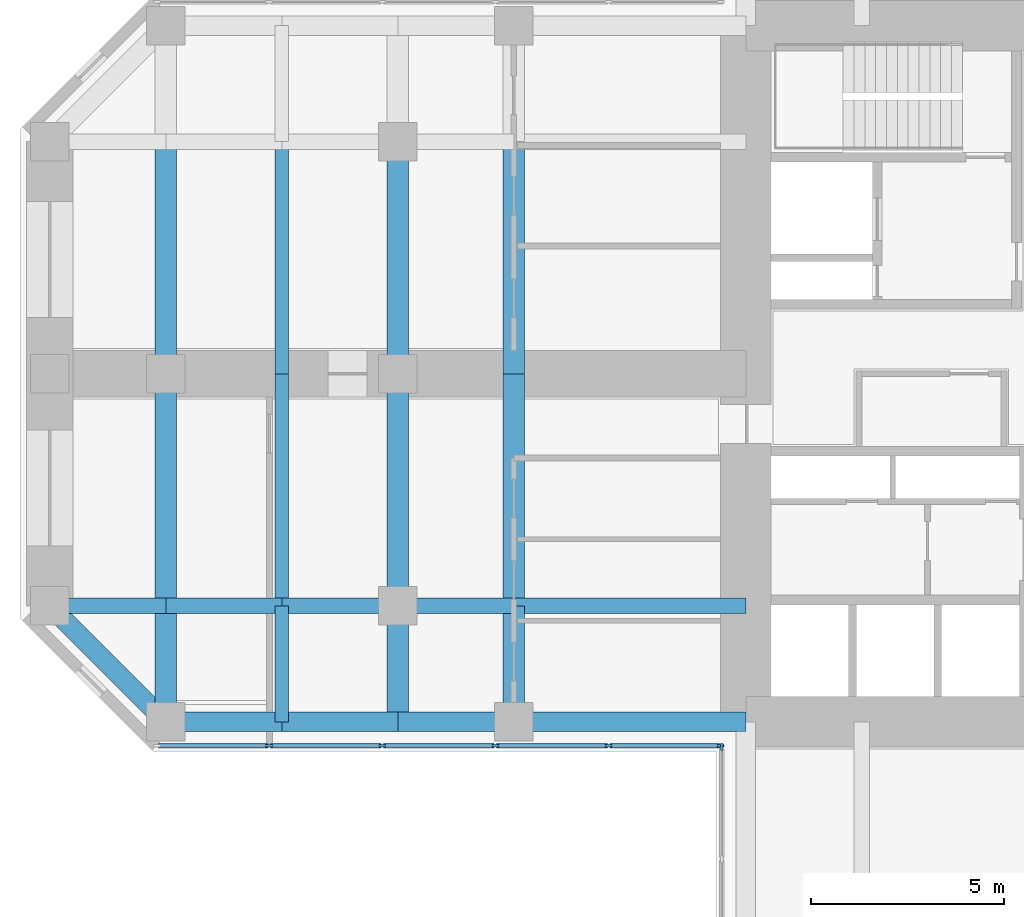
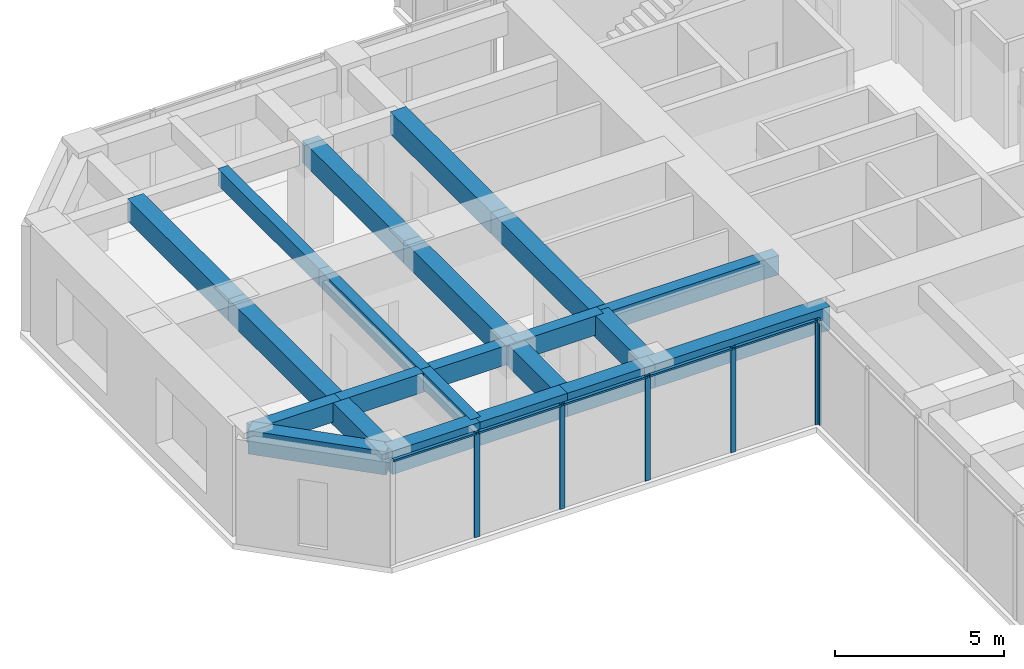
# One storey, part 3 of 12: 22 beams, 11 members, 2 elements without a shape of their own.
"""IFC4 building model written with IfcOpenShell, lengths in metres."""

from ifc_helpers import new_model, si_unit, direction, frame, origin, origin_2d, place, context, subcontext, project, spatial, rectangle, extrude, material, material_profile, profile_set, type_object, element, aggregate, save


model = new_model("IFC4")

# Units and contexts
model_context = context("Model", 3, precision=1e-05, world=origin(), true_north=direction((0.0, 1.0)))
body_context = subcontext(model_context, "Body", "Model", "MODEL_VIEW")
ifc_project = project(units=[si_unit("LENGTHUNIT", "METRE"), si_unit("AREAUNIT", "SQUARE_METRE"), si_unit("VOLUMEUNIT", "CUBIC_METRE"), si_unit("PLANEANGLEUNIT", "RADIAN"), si_unit("MASSUNIT", "GRAM", prefix="KILO")], contexts=[model_context])

# Site, building, storey
site_placement = place(None, origin())
site = spatial("IfcSite", under=ifc_project, at=site_placement, CompositionType="ELEMENT")
building_placement = place(site_placement, origin())
building = spatial("IfcBuilding", under=site, at=building_placement, Name="Torre Cruceta", CompositionType="ELEMENT")
storey_placement = place(building_placement, frame((0.0, 0.0, 112.5)))
storey = spatial("IfcBuildingStorey", under=building, at=storey_placement, Name="L27", CompositionType="ELEMENT", Elevation=112.5)

# Beams
ifc_material_1 = material(Name="Concrete G60 (fck 60 MPa)", Category="concrete")
ifc_material_profile_1 = material_profile(ifc_material_1, rectangle(XDim=0.39990234375, YDim=0.699951171875, at=origin_2d()), Name="RC 400X700")
ifc_profile_set_1 = profile_set([ifc_material_profile_1], Name="Concrete G60 (fck 60 MPa)")
beam_type_1 = type_object("IfcBeamType", Name="COLUMN LINE BEAM RC 400X700", PredefinedType="BEAM", material=ifc_profile_set_1)
beam_1_placement = place(storey_placement, frame((-9.0, -6.0, 3.449951171875), z_axis=(-1.0, 0.0, 0.0), x_axis=(0.0, -1.0, 0.0)))
element("IfcBeam", 1, at=beam_1_placement, inside=storey, type_object=beam_type_1, Name="LB5 L27 W col+ 1", PredefinedType="BEAM", context=body_context, shape_type="SweptSolid", body=[
    extrude(rectangle(XDim=0.39990234375, YDim=0.699951171875, at=origin_2d()), origin(), (0.0, 0.0, 1.0), 6.0),
])
for number, where, z_axis, x_axis, name in (
    (2, (-15.0, -6.0, 3.449951171875), (-1.0, 0.0, 0.0), (0.0, -1.0, 0.0), "LB5 L27 W col+ 2"),
    (3, (-18.0, -6.0, 3.449951171875), (-1.0, 0.0, 0.0), (0.0, -1.0, 0.0), "LB5 L27 W col+ 3"),
    (4, (-21.0, -6.0, 3.449951171875), (-1.0, 0.0, 0.0), (0.0, -1.0, 0.0), "LB5 L27 W col+ 4"),
    (5, (-24.0, -6.0, 3.449951171875), (-1.0, 0.0, 0.0), (0.0, -1.0, 0.0), "LB5 L27 W col+ 5"),
):
    element("IfcBeam", number, at=place(storey_placement, frame(where, z_axis=z_axis, x_axis=x_axis)), inside=storey, type_object=beam_type_1, Name=name, PredefinedType="BEAM", context=body_context, shape_type="SweptSolid", body=[
        extrude(rectangle(XDim=0.39990234375, YDim=0.699951171875, at=origin_2d()), origin(), (0.0, 0.0, 1.0), 3.0),
    ])
ifc_material_2 = material(Name="Concrete G60 (fck 60 MPa)", Category="concrete")
ifc_material_profile_2 = material_profile(ifc_material_2, rectangle(XDim=0.550048828125, YDim=0.800048828125, at=origin_2d()), Name="RC 550X800")
ifc_profile_set_2 = profile_set([ifc_material_profile_2], Name="Concrete G60 (fck 60 MPa)")
beam_type_2 = type_object("IfcBeamType", Name="CROSS BEAM RC 550X800", PredefinedType="BEAM", material=ifc_profile_set_2)
for number, where, z_axis, x_axis, name in (
    (6, (-15.0, 6.0, 3.39990234375), (0.0, -1.0, 0.0), (1.0, 0.0, 0.0), "GB5 L27 W cross15 2"),
    (7, (-15.0, 0.0, 3.39990234375), (0.0, -1.0, 0.0), (1.0, 0.0, 0.0), "GB5 L27 W cross15 3"),
):
    element("IfcBeam", number, at=place(storey_placement, frame(where, z_axis=z_axis, x_axis=x_axis)), inside=storey, type_object=beam_type_2, Name=name, PredefinedType="BEAM", context=body_context, shape_type="SweptSolid", body=[
        extrude(rectangle(XDim=0.550048828125, YDim=0.800048828125, at=origin_2d()), origin(), (0.0, 0.0, 1.0), 6.0),
    ])
beam_2_placement = place(storey_placement, frame((-15.0, -6.0, 3.39990234375), z_axis=(0.0, -1.0, 0.0), x_axis=(1.0, 0.0, 0.0)))
element("IfcBeam", 8, at=beam_2_placement, inside=storey, type_object=beam_type_2, Name="GB5 L27 W cross15 4", PredefinedType="BEAM", context=body_context, shape_type="SweptSolid", body=[
    extrude(rectangle(XDim=0.550048828125, YDim=0.800048828125, at=origin_2d()), origin(), (0.0, 0.0, 1.0), 3.0),
])
for number, where, z_axis, x_axis, name in (
    (9, (-18.0, 6.0, 3.39990234375), (0.0, -1.0, 0.0), (1.0, 0.0, 0.0), "GB5 L27 W cross18 2"),
    (10, (-18.0, 0.0, 3.39990234375), (0.0, -1.0, 0.0), (1.0, 0.0, 0.0), "GB5 L27 W cross18 3"),
):
    element("IfcBeam", number, at=place(storey_placement, frame(where, z_axis=z_axis, x_axis=x_axis)), inside=storey, type_object=beam_type_2, Name=name, PredefinedType="BEAM", context=body_context, shape_type="SweptSolid", body=[
        extrude(rectangle(XDim=0.550048828125, YDim=0.800048828125, at=origin_2d()), origin(), (0.0, 0.0, 1.0), 6.0),
    ])
beam_3_placement = place(storey_placement, frame((-18.0, -6.0, 3.39990234375), z_axis=(0.0, -1.0, 0.0), x_axis=(1.0, 0.0, 0.0)))
element("IfcBeam", 11, at=beam_3_placement, inside=storey, type_object=beam_type_2, Name="GB5 L27 W cross18 4", PredefinedType="BEAM", context=body_context, shape_type="SweptSolid", body=[
    extrude(rectangle(XDim=0.550048828125, YDim=0.800048828125, at=origin_2d()), origin(), (0.0, 0.0, 1.0), 3.0),
])
for number, where, z_axis, x_axis, name in (
    (12, (-24.0, 6.0, 3.39990234375), (0.0, -1.0, 0.0), (1.0, 0.0, 0.0), "GB5 L27 W cross24 2"),
    (13, (-24.0, 0.0, 3.39990234375), (0.0, -1.0, 0.0), (1.0, 0.0, 0.0), "GB5 L27 W cross24 3"),
):
    element("IfcBeam", number, at=place(storey_placement, frame(where, z_axis=z_axis, x_axis=x_axis)), inside=storey, type_object=beam_type_2, Name=name, PredefinedType="BEAM", context=body_context, shape_type="SweptSolid", body=[
        extrude(rectangle(XDim=0.550048828125, YDim=0.800048828125, at=origin_2d()), origin(), (0.0, 0.0, 1.0), 6.0),
    ])
beam_4_placement = place(storey_placement, frame((-24.0, -6.0, 3.39990234375), z_axis=(0.0, -1.0, 0.0), x_axis=(1.0, 0.0, 0.0)))
element("IfcBeam", 14, at=beam_4_placement, inside=storey, type_object=beam_type_2, Name="GB5 L27 W cross24 4", PredefinedType="BEAM", context=body_context, shape_type="SweptSolid", body=[
    extrude(rectangle(XDim=0.550048828125, YDim=0.800048828125, at=origin_2d()), origin(), (0.0, 0.0, 1.0), 3.0),
])

# Curtain wall, members
ifc_material_3 = material(Name="Aluminium unitised curtain wall", Category="aluminium")
curtain_wall_type = type_object("IfcCurtainWallType", Name="CURTAIN WALL CW-B OFFICE MID RISE", PredefinedType="USERDEFINED", material=ifc_material_3)
curtain_wall_1_placement = place(storey_placement, origin())
curtain_wall_1 = element("IfcCurtainWall", 15, at=curtain_wall_1_placement, inside=storey, type_object=curtain_wall_type, Name="CW-B L27 W side 14", ObjectType="UNITISED", PredefinedType="USERDEFINED")
ifc_material_4 = material(Name="Aluminium mullion", Category="aluminium")
ifc_material_profile_3 = material_profile(ifc_material_4, rectangle(XDim=0.06494140625, YDim=0.179931640625, at=origin_2d()), Name="AL 65X180")
ifc_profile_set_3 = profile_set([ifc_material_profile_3], Name="Aluminium mullion")
member_type_1 = type_object("IfcMemberType", Name="CW-B MULLION 65X180", PredefinedType="MULLION", material=ifc_profile_set_3)
member_1_placement = place(storey_placement, frame((-21.329345703125, -9.6201171875, 0.0), z_axis=(0.0, 0.0, 1.0), x_axis=(0.0, 1.0, 0.0)))
member_1 = element("IfcMember", 16, at=member_1_placement, type_object=member_type_1, Name="CW-B mullion 2", PredefinedType="MULLION", context=body_context, shape_type="SweptSolid", body=[
    extrude(rectangle(XDim=0.06494140625, YDim=0.179931640625, at=origin_2d()), origin(), (0.0, 0.0, 1.0), 3.800048828125),
])
member_2_placement = place(storey_placement, frame((-18.402099609375, -9.6201171875, 0.0), z_axis=(0.0, 0.0, 1.0), x_axis=(0.0, 1.0, 0.0)))
member_2 = element("IfcMember", 17, at=member_2_placement, type_object=member_type_1, Name="CW-B mullion 3", PredefinedType="MULLION", context=body_context, shape_type="SweptSolid", body=[
    extrude(rectangle(XDim=0.06494140625, YDim=0.179931640625, at=origin_2d()), origin(), (0.0, 0.0, 1.0), 3.800048828125),
])
member_3_placement = place(storey_placement, frame((-15.474609375, -9.6201171875, 0.0), z_axis=(0.0, 0.0, 1.0), x_axis=(0.0, 1.0, 0.0)))
member_3 = element("IfcMember", 18, at=member_3_placement, type_object=member_type_1, Name="CW-B mullion 4", PredefinedType="MULLION", context=body_context, shape_type="SweptSolid", body=[
    extrude(rectangle(XDim=0.06494140625, YDim=0.179931640625, at=origin_2d()), origin(), (0.0, 0.0, 1.0), 3.800048828125),
])
member_4_placement = place(storey_placement, frame((-12.54736328125, -9.6201171875, 0.0), z_axis=(0.0, 0.0, 1.0), x_axis=(0.0, 1.0, 0.0)))
member_4 = element("IfcMember", 19, at=member_4_placement, type_object=member_type_1, Name="CW-B mullion 5", PredefinedType="MULLION", context=body_context, shape_type="SweptSolid", body=[
    extrude(rectangle(XDim=0.06494140625, YDim=0.179931640625, at=origin_2d()), origin(), (0.0, 0.0, 1.0), 3.800048828125),
])
member_5_placement = place(storey_placement, frame((-9.652587890625, -9.6201171875, 0.0), z_axis=(0.0, 0.0, 1.0), x_axis=(0.0, 1.0, 0.0)))
member_5 = element("IfcMember", 20, at=member_5_placement, type_object=member_type_1, Name="CW-B mullion 6", PredefinedType="MULLION", context=body_context, shape_type="SweptSolid", body=[
    extrude(rectangle(XDim=0.06494140625, YDim=0.179931640625, at=origin_2d()), origin(), (0.0, 0.0, 1.0), 3.800048828125),
])

# Curtain wall, member
curtain_wall_2_placement = place(storey_placement, origin())
curtain_wall_2 = element("IfcCurtainWall", 21, at=curtain_wall_2_placement, inside=storey, type_object=curtain_wall_type, Name="CW-B L27 S side 15", ObjectType="UNITISED", PredefinedType="USERDEFINED")
member_6_placement = place(storey_placement, frame((-9.6201171875, -9.652587890625, 0.0), z_axis=(0.0, 0.0, 1.0), x_axis=(1.0, 0.0, 0.0)))
member_6 = element("IfcMember", 22, at=member_6_placement, type_object=member_type_1, Name="CW-B mullion 1", PredefinedType="MULLION", context=body_context, shape_type="SweptSolid", body=[
    extrude(rectangle(XDim=0.06494140625, YDim=0.179931640625, at=origin_2d()), origin(), (0.0, 0.0, 1.0), 3.800048828125),
])
aggregate(curtain_wall_2, [member_6])

# Member
ifc_material_5 = material(Name="Aluminium transom", Category="aluminium")
ifc_material_profile_4 = material_profile(ifc_material_5, rectangle(XDim=0.110107421875, YDim=0.06494140625, at=origin_2d()), Name="AL 110X65")
ifc_profile_set_4 = profile_set([ifc_material_profile_4], Name="Aluminium transom")
member_type_2 = type_object("IfcMemberType", Name="CW-B TRANSOM 65X110", PredefinedType="USERDEFINED", material=ifc_profile_set_4)
member_7_placement = place(storey_placement, frame((-24.19189453125, -9.6201171875, 3.767578125), z_axis=(1.0, 0.0, 0.0), x_axis=(0.0, 1.0, 0.0)))
member_7 = element("IfcMember", 23, at=member_7_placement, type_object=member_type_2, Name="CW-B transom 1", ObjectType="TRANSOM", PredefinedType="USERDEFINED", context=body_context, shape_type="SweptSolid", body=[
    extrude(rectangle(XDim=0.110107421875, YDim=0.06494140625, at=origin_2d()), origin(), (0.0, 0.0, 1.0), 2.829833984375),
])

member_8_placement = place(storey_placement, frame((-21.296875, -9.6201171875, 3.767578125), z_axis=(1.0, 0.0, 0.0), x_axis=(0.0, 1.0, 0.0)))
member_8 = element("IfcMember", 24, at=member_8_placement, type_object=member_type_2, Name="CW-B transom 2", ObjectType="TRANSOM", PredefinedType="USERDEFINED", context=body_context, shape_type="SweptSolid", body=[
    extrude(rectangle(XDim=0.110107421875, YDim=0.06494140625, at=origin_2d()), origin(), (0.0, 0.0, 1.0), 2.8623046875),
])

member_9_placement = place(storey_placement, frame((-18.36962890625, -9.6201171875, 3.767578125), z_axis=(1.0, 0.0, 0.0), x_axis=(0.0, 1.0, 0.0)))
member_9 = element("IfcMember", 25, at=member_9_placement, type_object=member_type_2, Name="CW-B transom 3", ObjectType="TRANSOM", PredefinedType="USERDEFINED", context=body_context, shape_type="SweptSolid", body=[
    extrude(rectangle(XDim=0.110107421875, YDim=0.06494140625, at=origin_2d()), origin(), (0.0, 0.0, 1.0), 2.8623046875),
])

member_10_placement = place(storey_placement, frame((-15.442138671875, -9.6201171875, 3.767578125), z_axis=(1.0, 0.0, 0.0), x_axis=(0.0, 1.0, 0.0)))
member_10 = element("IfcMember", 26, at=member_10_placement, type_object=member_type_2, Name="CW-B transom 4", ObjectType="TRANSOM", PredefinedType="USERDEFINED", context=body_context, shape_type="SweptSolid", body=[
    extrude(rectangle(XDim=0.110107421875, YDim=0.06494140625, at=origin_2d()), origin(), (0.0, 0.0, 1.0), 2.8623046875),
])

member_11_placement = place(storey_placement, frame((-12.514892578125, -9.6201171875, 3.767578125), z_axis=(1.0, 0.0, 0.0), x_axis=(0.0, 1.0, 0.0)))
member_11 = element("IfcMember", 27, at=member_11_placement, type_object=member_type_2, Name="CW-B transom 5", ObjectType="TRANSOM", PredefinedType="USERDEFINED", context=body_context, shape_type="SweptSolid", body=[
    extrude(rectangle(XDim=0.110107421875, YDim=0.06494140625, at=origin_2d()), origin(), (0.0, 0.0, 1.0), 2.829833984375),
])

aggregate(curtain_wall_1, [member_1, member_2, member_3, member_4, member_5, member_7, member_8, member_9, member_10, member_11])

# Beams
ifc_material_6 = material(Name="Concrete G60 (fck 60 MPa)", Category="concrete")
ifc_material_profile_5 = material_profile(ifc_material_6, rectangle(XDim=0.35009765625, YDim=0.60009765625, at=origin_2d()), Name="RC 350X600")
ifc_profile_set_5 = profile_set([ifc_material_profile_5], Name="Concrete G60 (fck 60 MPa)")
beam_type_3 = type_object("IfcBeamType", Name="SECONDARY BEAM RC 350X600", PredefinedType="JOIST", material=ifc_profile_set_5)
for number, where, z_axis, x_axis, name in (
    (28, (-21.0, 6.0, 3.5), (0.0, -1.0, 0.0), (1.0, 0.0, 0.0), "JB5 L27 W sec21 2"),
    (29, (-21.0, 0.0, 3.5), (0.0, -1.0, 0.0), (1.0, 0.0, 0.0), "JB5 L27 W sec21 3"),
):
    element("IfcBeam", number, at=place(storey_placement, frame(where, z_axis=z_axis, x_axis=x_axis)), inside=storey, type_object=beam_type_3, Name=name, PredefinedType="JOIST", context=body_context, shape_type="SweptSolid", body=[
        extrude(rectangle(XDim=0.35009765625, YDim=0.60009765625, at=origin_2d()), origin(), (0.0, 0.0, 1.0), 6.0),
    ])
beam_5_placement = place(storey_placement, frame((-21.0, -6.0, 3.5), z_axis=(0.0, -1.0, 0.0), x_axis=(1.0, 0.0, 0.0)))
element("IfcBeam", 30, at=beam_5_placement, inside=storey, type_object=beam_type_3, Name="JB5 L27 W sec21 4", PredefinedType="JOIST", context=body_context, shape_type="SweptSolid", body=[
    extrude(rectangle(XDim=0.35009765625, YDim=0.60009765625, at=origin_2d()), origin(), (0.0, 0.0, 1.0), 3.0),
])
ifc_material_7 = material(Name="Concrete G60 (fck 60 MPa)", Category="concrete")
ifc_material_profile_6 = material_profile(ifc_material_7, rectangle(XDim=0.5, YDim=0.85009765625, at=origin_2d()), Name="RC 500X850")
ifc_profile_set_6 = profile_set([ifc_material_profile_6], Name="Concrete G60 (fck 60 MPa)")
beam_type_4 = type_object("IfcBeamType", Name="SPANDREL BEAM RC 500X850", PredefinedType="SPANDREL", material=ifc_profile_set_6)
beam_6_placement = place(storey_placement, frame((-9.0, -9.0, 3.375), z_axis=(-1.0, 0.0, 0.0), x_axis=(0.0, -1.0, 0.0)))
element("IfcBeam", 31, at=beam_6_placement, inside=storey, type_object=beam_type_4, Name="SB5 L27 W side+ 1", PredefinedType="SPANDREL", context=body_context, shape_type="SweptSolid", body=[
    extrude(rectangle(XDim=0.5, YDim=0.85009765625, at=origin_2d()), origin(), (0.0, 0.0, 1.0), 6.0),
])
for number, where, z_axis, x_axis, name in (
    (32, (-15.0, -9.0, 3.375), (-1.0, 0.0, 0.0), (0.0, -1.0, 0.0), "SB5 L27 W side+ 2"),
    (33, (-18.0, -9.0, 3.375), (-1.0, 0.0, 0.0), (0.0, -1.0, 0.0), "SB5 L27 W side+ 3"),
    (34, (-21.0, -9.0, 3.375), (-1.0, 0.0, 0.0), (0.0, -1.0, 0.0), "SB5 L27 W side+ 4"),
):
    element("IfcBeam", number, at=place(storey_placement, frame(where, z_axis=z_axis, x_axis=x_axis)), inside=storey, type_object=beam_type_4, Name=name, PredefinedType="SPANDREL", context=body_context, shape_type="SweptSolid", body=[
        extrude(rectangle(XDim=0.5, YDim=0.85009765625, at=origin_2d()), origin(), (0.0, 0.0, 1.0), 3.0),
    ])
beam_7_placement = place(storey_placement, frame((-24.0, -9.0, 3.375), z_axis=(-0.707106781187, 0.707106781187, 0.0), x_axis=(-0.707106781187, -0.707106781187, 0.0)))
element("IfcBeam", 35, at=beam_7_placement, inside=storey, type_object=beam_type_4, Name="SB5 L27 W side+ 5", PredefinedType="SPANDREL", context=body_context, shape_type="SweptSolid", body=[
    extrude(rectangle(XDim=0.5, YDim=0.85009765625, at=origin_2d()), origin(), (0.0, 0.0, 1.0), 4.24267578125),
])

save(model, "model.ifc")
